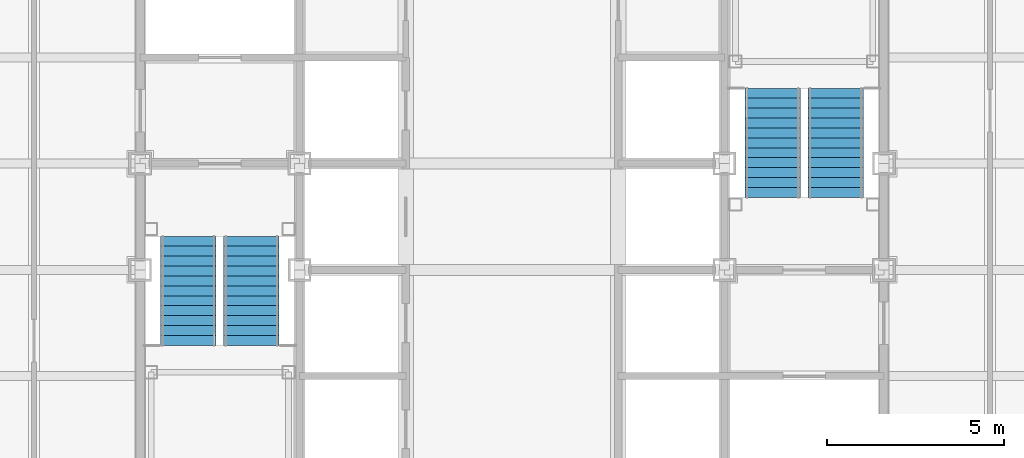
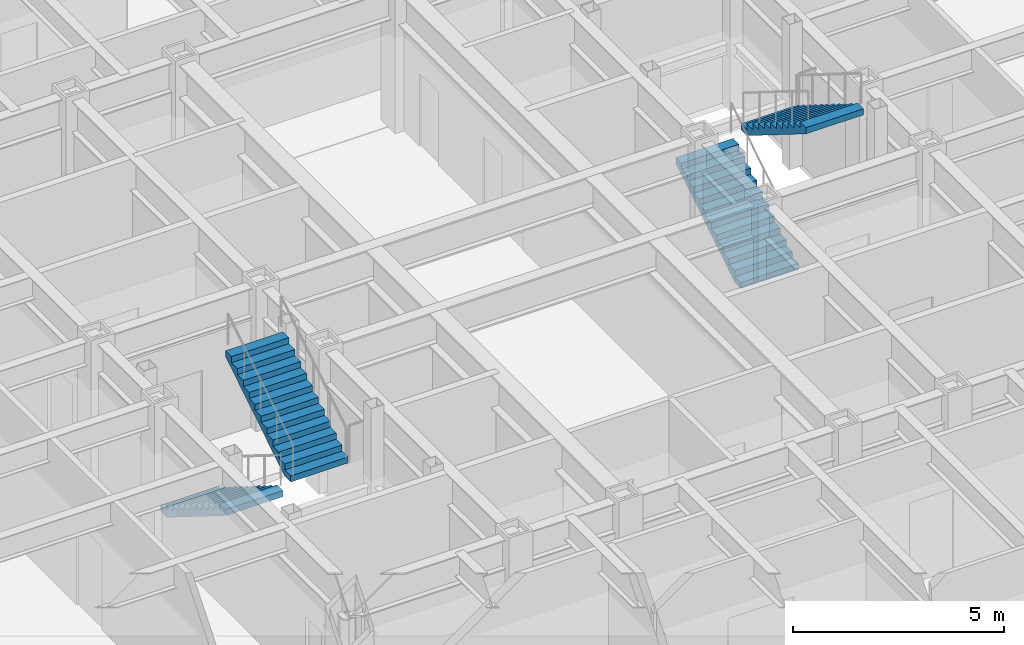
# One storey, part 13 of 16: 4 stair flights, 2 elements without a shape of their own.
"""IFC4 building model written with IfcOpenShell, lengths in metres."""

from ifc_helpers import new_model, si_unit, direction, frame, origin, place, context, subcontext, project, spatial, faceted_brep, material, type_object, element, aggregate, save


model = new_model("IFC4")

# Units and contexts
model_context = context("Model", 3, precision=1e-05, world=origin(), true_north=direction((0.0, 1.0)))
body_context = subcontext(model_context, "Body", "Model", "MODEL_VIEW")
ifc_project = project(units=[si_unit("LENGTHUNIT", "METRE"), si_unit("AREAUNIT", "SQUARE_METRE"), si_unit("VOLUMEUNIT", "CUBIC_METRE"), si_unit("PLANEANGLEUNIT", "RADIAN"), si_unit("MASSUNIT", "GRAM", prefix="KILO")], contexts=[model_context])

# Site, building, storey
site_placement = place(None, origin())
site = spatial("IfcSite", under=ifc_project, at=site_placement, CompositionType="ELEMENT")
building_placement = place(site_placement, origin())
building = spatial("IfcBuilding", under=site, at=building_placement, Name="Chuquiago Exchange Tower", CompositionType="ELEMENT")
storey_placement = place(building_placement, frame((0.0, 0.0, 144.60009765625)))
storey = spatial("IfcBuildingStorey", under=building, at=storey_placement, Name="L31", CompositionType="ELEMENT", Elevation=144.60009765625)

# Stair, stair flights
ifc_material_1 = material(Name="Concrete C30/37, precast", Category="concrete")
stair_type_1 = type_object("IfcStairType", Name="ST1 half-turn stair 4200", PredefinedType="HALF_TURN_STAIR", material=ifc_material_1)
stair_1_placement = place(storey_placement, origin())
stair_1 = element("IfcStair", 1, at=stair_1_placement, inside=storey, type_object=stair_type_1, Name="Stair ST1 L31", PredefinedType="HALF_TURN_STAIR")
ifc_material_2 = material(Name="Concrete C30/37, precast", Category="concrete")
stair_flight_type = type_object("IfcStairFlightType", Name="ST-F flight 1570 for 4200 storey", PredefinedType="STRAIGHT", material=ifc_material_2)
stair_flight_1_placement = place(storey_placement, frame((13.360107421875, 21.949951171875, 0.0), z_axis=(0.0, 0.0, 1.0), x_axis=(0.0, -1.0, 0.0)))
stair_flight_1 = element("IfcStairFlight", 2, at=stair_flight_1_placement, type_object=stair_flight_type, Name="ST1 flight 1", NumberOfRisers=12, NumberOfTreads=11, PredefinedType="STRAIGHT", RiserHeight=0.175, TreadLength=0.28, context=body_context, shape_type="Brep", body=[
    faceted_brep([(0.0, 0.78515625, 0.0), (0.0, 0.78515625, 0.175048828125), (0.280029296875, 0.78515625, 0.175048828125), (0.280029296875, 0.78515625, 0.35009765625), (0.56005859375, 0.78515625, 0.35009765625), (0.56005859375, 0.78515625, 0.52490234375), (0.840087890625, 0.78515625, 0.52490234375), (0.840087890625, 0.78515625, 0.699951171875), (1.1201171875, 0.78515625, 0.699951171875), (1.1201171875, 0.78515625, 0.875), (1.39990234375, 0.78515625, 0.875), (1.39990234375, 0.78515625, 1.050048828125), (1.679931640625, 0.78515625, 1.050048828125), (1.679931640625, 0.78515625, 1.22509765625), (1.9599609375, 0.78515625, 1.22509765625), (1.9599609375, 0.78515625, 1.39990234375), (2.239990234375, 0.78515625, 1.39990234375), (2.239990234375, 0.78515625, 1.574951171875), (2.52001953125, 0.78515625, 1.574951171875), (2.52001953125, 0.78515625, 1.75), (2.800048828125, 0.78515625, 1.75), (2.800048828125, 0.78515625, 1.925048828125), (3.080078125, 0.78515625, 1.925048828125), (3.080078125, 0.78515625, 1.748291015625), (0.28271484375, 0.78515625, 0.0), (0.28271484375, -0.78515625, 0.0), (3.080078125, -0.78515625, 1.748291015625), (3.080078125, -0.78515625, 1.925048828125), (2.800048828125, -0.78515625, 1.925048828125), (2.800048828125, -0.78515625, 1.75), (2.52001953125, -0.78515625, 1.75), (2.52001953125, -0.78515625, 1.574951171875), (2.239990234375, -0.78515625, 1.574951171875), (2.239990234375, -0.78515625, 1.39990234375), (1.9599609375, -0.78515625, 1.39990234375), (1.9599609375, -0.78515625, 1.22509765625), (1.679931640625, -0.78515625, 1.22509765625), (1.679931640625, -0.78515625, 1.050048828125), (1.39990234375, -0.78515625, 1.050048828125), (1.39990234375, -0.78515625, 0.875), (1.1201171875, -0.78515625, 0.875), (1.1201171875, -0.78515625, 0.699951171875), (0.840087890625, -0.78515625, 0.699951171875), (0.840087890625, -0.78515625, 0.52490234375), (0.56005859375, -0.78515625, 0.52490234375), (0.56005859375, -0.78515625, 0.35009765625), (0.280029296875, -0.78515625, 0.35009765625), (0.280029296875, -0.78515625, 0.175048828125), (0.0, -0.78515625, 0.175048828125), (0.0, -0.78515625, 0.0), (0.0, 0.392578125, 0.0), (0.0, 0.392578125, 0.175048828125), (0.0, 0.0, 0.0), (0.0, 0.0, 0.175048828125), (0.0, -0.392578125, 0.0), (0.0, -0.392578125, 0.175048828125), (0.280029296875, 0.392578125, 0.175048828125), (0.280029296875, 0.0, 0.175048828125), (0.280029296875, -0.392578125, 0.175048828125), (0.280029296875, 0.392578125, 0.35009765625), (0.280029296875, 0.0, 0.35009765625), (0.280029296875, -0.392578125, 0.35009765625), (0.56005859375, 0.392578125, 0.35009765625), (0.56005859375, 0.0, 0.35009765625), (0.56005859375, -0.392578125, 0.35009765625), (0.56005859375, 0.392578125, 0.52490234375), (0.56005859375, 0.0, 0.52490234375), (0.56005859375, -0.392578125, 0.52490234375), (0.840087890625, 0.392578125, 0.52490234375), (0.840087890625, 0.0, 0.52490234375), (0.840087890625, -0.392578125, 0.52490234375), (0.840087890625, 0.392578125, 0.699951171875), (0.840087890625, 0.0, 0.699951171875), (0.840087890625, -0.392578125, 0.699951171875), (1.1201171875, 0.392578125, 0.699951171875), (1.1201171875, 0.0, 0.699951171875), (1.1201171875, -0.392578125, 0.699951171875), (1.1201171875, 0.392578125, 0.875), (1.1201171875, 0.0, 0.875), (1.1201171875, -0.392578125, 0.875), (1.39990234375, 0.392578125, 0.875), (1.39990234375, 0.0, 0.875), (1.39990234375, -0.392578125, 0.875), (1.39990234375, 0.392578125, 1.050048828125), (1.39990234375, 0.0, 1.050048828125), (1.39990234375, -0.392578125, 1.050048828125), (1.679931640625, 0.392578125, 1.050048828125), (1.679931640625, 0.0, 1.050048828125), (1.679931640625, -0.392578125, 1.050048828125), (1.679931640625, 0.392578125, 1.22509765625), (1.679931640625, 0.0, 1.22509765625), (1.679931640625, -0.392578125, 1.22509765625), (1.9599609375, 0.392578125, 1.22509765625), (1.9599609375, 0.0, 1.22509765625), (1.9599609375, -0.392578125, 1.22509765625), (1.9599609375, 0.392578125, 1.39990234375), (1.9599609375, 0.0, 1.39990234375), (1.9599609375, -0.392578125, 1.39990234375), (2.239990234375, 0.392578125, 1.39990234375), (2.239990234375, 0.0, 1.39990234375), (2.239990234375, -0.392578125, 1.39990234375), (2.239990234375, 0.392578125, 1.574951171875), (2.239990234375, 0.0, 1.574951171875), (2.239990234375, -0.392578125, 1.574951171875), (2.52001953125, 0.392578125, 1.574951171875), (2.52001953125, 0.0, 1.574951171875), (2.52001953125, -0.392578125, 1.574951171875), (2.52001953125, 0.392578125, 1.75), (2.52001953125, 0.0, 1.75), (2.52001953125, -0.392578125, 1.75), (2.800048828125, 0.392578125, 1.75), (2.800048828125, 0.0, 1.75), (2.800048828125, -0.392578125, 1.75), (2.800048828125, 0.392578125, 1.925048828125), (2.800048828125, 0.0, 1.925048828125), (2.800048828125, -0.392578125, 1.925048828125), (3.080078125, 0.392578125, 1.925048828125), (3.080078125, 0.0, 1.925048828125), (3.080078125, -0.392578125, 1.925048828125), (3.080078125, 0.392578125, 1.748291015625), (3.080078125, 0.0, 1.748291015625), (3.080078125, -0.392578125, 1.748291015625), (0.28271484375, 0.392578125, 0.0), (0.28271484375, 0.0, 0.0), (0.28271484375, -0.392578125, 0.0)], [[[0, 1, 2, 3, 4, 5, 6, 7, 8, 9, 10, 11, 12, 13, 14, 15, 16, 17, 18, 19, 20, 21, 22, 23, 24]], [[25, 26, 27, 28, 29, 30, 31, 32, 33, 34, 35, 36, 37, 38, 39, 40, 41, 42, 43, 44, 45, 46, 47, 48, 49]], [[1, 0, 50, 51]], [[51, 50, 52, 53]], [[53, 52, 54, 55]], [[55, 54, 49, 48]], [[2, 1, 51, 56]], [[56, 51, 53, 57]], [[57, 53, 55, 58]], [[58, 55, 48, 47]], [[3, 2, 56, 59]], [[59, 56, 57, 60]], [[60, 57, 58, 61]], [[61, 58, 47, 46]], [[4, 3, 59, 62]], [[62, 59, 60, 63]], [[63, 60, 61, 64]], [[64, 61, 46, 45]], [[5, 4, 62, 65]], [[65, 62, 63, 66]], [[66, 63, 64, 67]], [[67, 64, 45, 44]], [[6, 5, 65, 68]], [[68, 65, 66, 69]], [[69, 66, 67, 70]], [[70, 67, 44, 43]], [[7, 6, 68, 71]], [[71, 68, 69, 72]], [[72, 69, 70, 73]], [[73, 70, 43, 42]], [[8, 7, 71, 74]], [[74, 71, 72, 75]], [[75, 72, 73, 76]], [[76, 73, 42, 41]], [[9, 8, 74, 77]], [[77, 74, 75, 78]], [[78, 75, 76, 79]], [[79, 76, 41, 40]], [[10, 9, 77, 80]], [[80, 77, 78, 81]], [[81, 78, 79, 82]], [[82, 79, 40, 39]], [[11, 10, 80, 83]], [[83, 80, 81, 84]], [[84, 81, 82, 85]], [[85, 82, 39, 38]], [[12, 11, 83, 86]], [[86, 83, 84, 87]], [[87, 84, 85, 88]], [[88, 85, 38, 37]], [[13, 12, 86, 89]], [[89, 86, 87, 90]], [[90, 87, 88, 91]], [[91, 88, 37, 36]], [[14, 13, 89, 92]], [[92, 89, 90, 93]], [[93, 90, 91, 94]], [[94, 91, 36, 35]], [[15, 14, 92, 95]], [[95, 92, 93, 96]], [[96, 93, 94, 97]], [[97, 94, 35, 34]], [[16, 15, 95, 98]], [[98, 95, 96, 99]], [[99, 96, 97, 100]], [[100, 97, 34, 33]], [[17, 16, 98, 101]], [[101, 98, 99, 102]], [[102, 99, 100, 103]], [[103, 100, 33, 32]], [[18, 17, 101, 104]], [[104, 101, 102, 105]], [[105, 102, 103, 106]], [[106, 103, 32, 31]], [[19, 18, 104, 107]], [[107, 104, 105, 108]], [[108, 105, 106, 109]], [[109, 106, 31, 30]], [[20, 19, 107, 110]], [[110, 107, 108, 111]], [[111, 108, 109, 112]], [[112, 109, 30, 29]], [[21, 20, 110, 113]], [[113, 110, 111, 114]], [[114, 111, 112, 115]], [[115, 112, 29, 28]], [[22, 21, 113, 116]], [[116, 113, 114, 117]], [[117, 114, 115, 118]], [[118, 115, 28, 27]], [[23, 22, 116, 119]], [[119, 116, 117, 120]], [[120, 117, 118, 121]], [[121, 118, 27, 26]], [[24, 23, 119, 122]], [[122, 119, 120, 123]], [[123, 120, 121, 124]], [[124, 121, 26, 25]], [[0, 24, 122, 50]], [[50, 122, 123, 52]], [[52, 123, 124, 54]], [[54, 124, 25, 49]]]),
])
stair_flight_2_placement = place(storey_placement, frame((15.139892578125, 18.8701171875, 2.099853515625), z_axis=(0.0, 0.0, 1.0), x_axis=(0.0, 1.0, 0.0)))
stair_flight_2 = element("IfcStairFlight", 3, at=stair_flight_2_placement, type_object=stair_flight_type, Name="ST1 flight 2", NumberOfRisers=12, NumberOfTreads=11, PredefinedType="STRAIGHT", RiserHeight=0.175, TreadLength=0.28, context=body_context, shape_type="Brep", body=[
    faceted_brep([(0.0, 0.78515625, 0.0), (0.0, 0.78515625, 0.175048828125), (0.280029296875, 0.78515625, 0.175048828125), (0.280029296875, 0.78515625, 0.35009765625), (0.56005859375, 0.78515625, 0.35009765625), (0.56005859375, 0.78515625, 0.52490234375), (0.840087890625, 0.78515625, 0.52490234375), (0.840087890625, 0.78515625, 0.699951171875), (1.1201171875, 0.78515625, 0.699951171875), (1.1201171875, 0.78515625, 0.875), (1.39990234375, 0.78515625, 0.875), (1.39990234375, 0.78515625, 1.050048828125), (1.679931640625, 0.78515625, 1.050048828125), (1.679931640625, 0.78515625, 1.22509765625), (1.9599609375, 0.78515625, 1.22509765625), (1.9599609375, 0.78515625, 1.39990234375), (2.239990234375, 0.78515625, 1.39990234375), (2.239990234375, 0.78515625, 1.574951171875), (2.52001953125, 0.78515625, 1.574951171875), (2.52001953125, 0.78515625, 1.75), (2.800048828125, 0.78515625, 1.75), (2.800048828125, 0.78515625, 1.925048828125), (3.080078125, 0.78515625, 1.925048828125), (3.080078125, 0.78515625, 1.748291015625), (0.28271484375, 0.78515625, 0.0), (0.28271484375, -0.78515625, 0.0), (3.080078125, -0.78515625, 1.748291015625), (3.080078125, -0.78515625, 1.925048828125), (2.800048828125, -0.78515625, 1.925048828125), (2.800048828125, -0.78515625, 1.75), (2.52001953125, -0.78515625, 1.75), (2.52001953125, -0.78515625, 1.574951171875), (2.239990234375, -0.78515625, 1.574951171875), (2.239990234375, -0.78515625, 1.39990234375), (1.9599609375, -0.78515625, 1.39990234375), (1.9599609375, -0.78515625, 1.22509765625), (1.679931640625, -0.78515625, 1.22509765625), (1.679931640625, -0.78515625, 1.050048828125), (1.39990234375, -0.78515625, 1.050048828125), (1.39990234375, -0.78515625, 0.875), (1.1201171875, -0.78515625, 0.875), (1.1201171875, -0.78515625, 0.699951171875), (0.840087890625, -0.78515625, 0.699951171875), (0.840087890625, -0.78515625, 0.52490234375), (0.56005859375, -0.78515625, 0.52490234375), (0.56005859375, -0.78515625, 0.35009765625), (0.280029296875, -0.78515625, 0.35009765625), (0.280029296875, -0.78515625, 0.175048828125), (0.0, -0.78515625, 0.175048828125), (0.0, -0.78515625, 0.0), (0.0, 0.392578125, 0.0), (0.0, 0.392578125, 0.175048828125), (0.0, 0.0, 0.0), (0.0, 0.0, 0.175048828125), (0.0, -0.392578125, 0.0), (0.0, -0.392578125, 0.175048828125), (0.280029296875, 0.392578125, 0.175048828125), (0.280029296875, 0.0, 0.175048828125), (0.280029296875, -0.392578125, 0.175048828125), (0.280029296875, 0.392578125, 0.35009765625), (0.280029296875, 0.0, 0.35009765625), (0.280029296875, -0.392578125, 0.35009765625), (0.56005859375, 0.392578125, 0.35009765625), (0.56005859375, 0.0, 0.35009765625), (0.56005859375, -0.392578125, 0.35009765625), (0.56005859375, 0.392578125, 0.52490234375), (0.56005859375, 0.0, 0.52490234375), (0.56005859375, -0.392578125, 0.52490234375), (0.840087890625, 0.392578125, 0.52490234375), (0.840087890625, 0.0, 0.52490234375), (0.840087890625, -0.392578125, 0.52490234375), (0.840087890625, 0.392578125, 0.699951171875), (0.840087890625, 0.0, 0.699951171875), (0.840087890625, -0.392578125, 0.699951171875), (1.1201171875, 0.392578125, 0.699951171875), (1.1201171875, 0.0, 0.699951171875), (1.1201171875, -0.392578125, 0.699951171875), (1.1201171875, 0.392578125, 0.875), (1.1201171875, 0.0, 0.875), (1.1201171875, -0.392578125, 0.875), (1.39990234375, 0.392578125, 0.875), (1.39990234375, 0.0, 0.875), (1.39990234375, -0.392578125, 0.875), (1.39990234375, 0.392578125, 1.050048828125), (1.39990234375, 0.0, 1.050048828125), (1.39990234375, -0.392578125, 1.050048828125), (1.679931640625, 0.392578125, 1.050048828125), (1.679931640625, 0.0, 1.050048828125), (1.679931640625, -0.392578125, 1.050048828125), (1.679931640625, 0.392578125, 1.22509765625), (1.679931640625, 0.0, 1.22509765625), (1.679931640625, -0.392578125, 1.22509765625), (1.9599609375, 0.392578125, 1.22509765625), (1.9599609375, 0.0, 1.22509765625), (1.9599609375, -0.392578125, 1.22509765625), (1.9599609375, 0.392578125, 1.39990234375), (1.9599609375, 0.0, 1.39990234375), (1.9599609375, -0.392578125, 1.39990234375), (2.239990234375, 0.392578125, 1.39990234375), (2.239990234375, 0.0, 1.39990234375), (2.239990234375, -0.392578125, 1.39990234375), (2.239990234375, 0.392578125, 1.574951171875), (2.239990234375, 0.0, 1.574951171875), (2.239990234375, -0.392578125, 1.574951171875), (2.52001953125, 0.392578125, 1.574951171875), (2.52001953125, 0.0, 1.574951171875), (2.52001953125, -0.392578125, 1.574951171875), (2.52001953125, 0.392578125, 1.75), (2.52001953125, 0.0, 1.75), (2.52001953125, -0.392578125, 1.75), (2.800048828125, 0.392578125, 1.75), (2.800048828125, 0.0, 1.75), (2.800048828125, -0.392578125, 1.75), (2.800048828125, 0.392578125, 1.925048828125), (2.800048828125, 0.0, 1.925048828125), (2.800048828125, -0.392578125, 1.925048828125), (3.080078125, 0.392578125, 1.925048828125), (3.080078125, 0.0, 1.925048828125), (3.080078125, -0.392578125, 1.925048828125), (3.080078125, 0.392578125, 1.748291015625), (3.080078125, 0.0, 1.748291015625), (3.080078125, -0.392578125, 1.748291015625), (0.28271484375, 0.392578125, 0.0), (0.28271484375, 0.0, 0.0), (0.28271484375, -0.392578125, 0.0)], [[[0, 1, 2, 3, 4, 5, 6, 7, 8, 9, 10, 11, 12, 13, 14, 15, 16, 17, 18, 19, 20, 21, 22, 23, 24]], [[25, 26, 27, 28, 29, 30, 31, 32, 33, 34, 35, 36, 37, 38, 39, 40, 41, 42, 43, 44, 45, 46, 47, 48, 49]], [[1, 0, 50, 51]], [[51, 50, 52, 53]], [[53, 52, 54, 55]], [[55, 54, 49, 48]], [[2, 1, 51, 56]], [[56, 51, 53, 57]], [[57, 53, 55, 58]], [[58, 55, 48, 47]], [[3, 2, 56, 59]], [[59, 56, 57, 60]], [[60, 57, 58, 61]], [[61, 58, 47, 46]], [[4, 3, 59, 62]], [[62, 59, 60, 63]], [[63, 60, 61, 64]], [[64, 61, 46, 45]], [[5, 4, 62, 65]], [[65, 62, 63, 66]], [[66, 63, 64, 67]], [[67, 64, 45, 44]], [[6, 5, 65, 68]], [[68, 65, 66, 69]], [[69, 66, 67, 70]], [[70, 67, 44, 43]], [[7, 6, 68, 71]], [[71, 68, 69, 72]], [[72, 69, 70, 73]], [[73, 70, 43, 42]], [[8, 7, 71, 74]], [[74, 71, 72, 75]], [[75, 72, 73, 76]], [[76, 73, 42, 41]], [[9, 8, 74, 77]], [[77, 74, 75, 78]], [[78, 75, 76, 79]], [[79, 76, 41, 40]], [[10, 9, 77, 80]], [[80, 77, 78, 81]], [[81, 78, 79, 82]], [[82, 79, 40, 39]], [[11, 10, 80, 83]], [[83, 80, 81, 84]], [[84, 81, 82, 85]], [[85, 82, 39, 38]], [[12, 11, 83, 86]], [[86, 83, 84, 87]], [[87, 84, 85, 88]], [[88, 85, 38, 37]], [[13, 12, 86, 89]], [[89, 86, 87, 90]], [[90, 87, 88, 91]], [[91, 88, 37, 36]], [[14, 13, 89, 92]], [[92, 89, 90, 93]], [[93, 90, 91, 94]], [[94, 91, 36, 35]], [[15, 14, 92, 95]], [[95, 92, 93, 96]], [[96, 93, 94, 97]], [[97, 94, 35, 34]], [[16, 15, 95, 98]], [[98, 95, 96, 99]], [[99, 96, 97, 100]], [[100, 97, 34, 33]], [[17, 16, 98, 101]], [[101, 98, 99, 102]], [[102, 99, 100, 103]], [[103, 100, 33, 32]], [[18, 17, 101, 104]], [[104, 101, 102, 105]], [[105, 102, 103, 106]], [[106, 103, 32, 31]], [[19, 18, 104, 107]], [[107, 104, 105, 108]], [[108, 105, 106, 109]], [[109, 106, 31, 30]], [[20, 19, 107, 110]], [[110, 107, 108, 111]], [[111, 108, 109, 112]], [[112, 109, 30, 29]], [[21, 20, 110, 113]], [[113, 110, 111, 114]], [[114, 111, 112, 115]], [[115, 112, 29, 28]], [[22, 21, 113, 116]], [[116, 113, 114, 117]], [[117, 114, 115, 118]], [[118, 115, 28, 27]], [[23, 22, 116, 119]], [[119, 116, 117, 120]], [[120, 117, 118, 121]], [[121, 118, 27, 26]], [[24, 23, 119, 122]], [[122, 119, 120, 123]], [[123, 120, 121, 124]], [[124, 121, 26, 25]], [[0, 24, 122, 50]], [[50, 122, 123, 52]], [[52, 123, 124, 54]], [[54, 124, 25, 49]]]),
])
aggregate(stair_1, [stair_flight_1, stair_flight_2])

ifc_material_3 = material(Name="Concrete C30/37, precast", Category="concrete")
stair_type_2 = type_object("IfcStairType", Name="ST2 half-turn stair 4200", PredefinedType="HALF_TURN_STAIR", material=ifc_material_3)
stair_2_placement = place(storey_placement, origin())
stair_2 = element("IfcStair", 4, at=stair_2_placement, inside=storey, type_object=stair_type_2, Name="Stair ST2 L31", PredefinedType="HALF_TURN_STAIR")
stair_flight_3_placement = place(storey_placement, frame((29.860107421875, 23.050048828125, 0.0), z_axis=(0.0, 0.0, 1.0), x_axis=(0.0, 1.0, 0.0)))
stair_flight_3 = element("IfcStairFlight", 5, at=stair_flight_3_placement, type_object=stair_flight_type, Name="ST2 flight 1", NumberOfRisers=12, NumberOfTreads=11, PredefinedType="STRAIGHT", RiserHeight=0.175, TreadLength=0.28, context=body_context, shape_type="Brep", body=[
    faceted_brep([(0.0, 0.78515625, 0.0), (0.0, 0.78515625, 0.175048828125), (0.280029296875, 0.78515625, 0.175048828125), (0.280029296875, 0.78515625, 0.35009765625), (0.56005859375, 0.78515625, 0.35009765625), (0.56005859375, 0.78515625, 0.52490234375), (0.840087890625, 0.78515625, 0.52490234375), (0.840087890625, 0.78515625, 0.699951171875), (1.1201171875, 0.78515625, 0.699951171875), (1.1201171875, 0.78515625, 0.875), (1.39990234375, 0.78515625, 0.875), (1.39990234375, 0.78515625, 1.050048828125), (1.679931640625, 0.78515625, 1.050048828125), (1.679931640625, 0.78515625, 1.22509765625), (1.9599609375, 0.78515625, 1.22509765625), (1.9599609375, 0.78515625, 1.39990234375), (2.239990234375, 0.78515625, 1.39990234375), (2.239990234375, 0.78515625, 1.574951171875), (2.52001953125, 0.78515625, 1.574951171875), (2.52001953125, 0.78515625, 1.75), (2.800048828125, 0.78515625, 1.75), (2.800048828125, 0.78515625, 1.925048828125), (3.080078125, 0.78515625, 1.925048828125), (3.080078125, 0.78515625, 1.748291015625), (0.28271484375, 0.78515625, 0.0), (0.28271484375, -0.78515625, 0.0), (3.080078125, -0.78515625, 1.748291015625), (3.080078125, -0.78515625, 1.925048828125), (2.800048828125, -0.78515625, 1.925048828125), (2.800048828125, -0.78515625, 1.75), (2.52001953125, -0.78515625, 1.75), (2.52001953125, -0.78515625, 1.574951171875), (2.239990234375, -0.78515625, 1.574951171875), (2.239990234375, -0.78515625, 1.39990234375), (1.9599609375, -0.78515625, 1.39990234375), (1.9599609375, -0.78515625, 1.22509765625), (1.679931640625, -0.78515625, 1.22509765625), (1.679931640625, -0.78515625, 1.050048828125), (1.39990234375, -0.78515625, 1.050048828125), (1.39990234375, -0.78515625, 0.875), (1.1201171875, -0.78515625, 0.875), (1.1201171875, -0.78515625, 0.699951171875), (0.840087890625, -0.78515625, 0.699951171875), (0.840087890625, -0.78515625, 0.52490234375), (0.56005859375, -0.78515625, 0.52490234375), (0.56005859375, -0.78515625, 0.35009765625), (0.280029296875, -0.78515625, 0.35009765625), (0.280029296875, -0.78515625, 0.175048828125), (0.0, -0.78515625, 0.175048828125), (0.0, -0.78515625, 0.0), (0.0, 0.392578125, 0.0), (0.0, 0.392578125, 0.175048828125), (0.0, 0.0, 0.0), (0.0, 0.0, 0.175048828125), (0.0, -0.392578125, 0.0), (0.0, -0.392578125, 0.175048828125), (0.280029296875, 0.392578125, 0.175048828125), (0.280029296875, 0.0, 0.175048828125), (0.280029296875, -0.392578125, 0.175048828125), (0.280029296875, 0.392578125, 0.35009765625), (0.280029296875, 0.0, 0.35009765625), (0.280029296875, -0.392578125, 0.35009765625), (0.56005859375, 0.392578125, 0.35009765625), (0.56005859375, 0.0, 0.35009765625), (0.56005859375, -0.392578125, 0.35009765625), (0.56005859375, 0.392578125, 0.52490234375), (0.56005859375, 0.0, 0.52490234375), (0.56005859375, -0.392578125, 0.52490234375), (0.840087890625, 0.392578125, 0.52490234375), (0.840087890625, 0.0, 0.52490234375), (0.840087890625, -0.392578125, 0.52490234375), (0.840087890625, 0.392578125, 0.699951171875), (0.840087890625, 0.0, 0.699951171875), (0.840087890625, -0.392578125, 0.699951171875), (1.1201171875, 0.392578125, 0.699951171875), (1.1201171875, 0.0, 0.699951171875), (1.1201171875, -0.392578125, 0.699951171875), (1.1201171875, 0.392578125, 0.875), (1.1201171875, 0.0, 0.875), (1.1201171875, -0.392578125, 0.875), (1.39990234375, 0.392578125, 0.875), (1.39990234375, 0.0, 0.875), (1.39990234375, -0.392578125, 0.875), (1.39990234375, 0.392578125, 1.050048828125), (1.39990234375, 0.0, 1.050048828125), (1.39990234375, -0.392578125, 1.050048828125), (1.679931640625, 0.392578125, 1.050048828125), (1.679931640625, 0.0, 1.050048828125), (1.679931640625, -0.392578125, 1.050048828125), (1.679931640625, 0.392578125, 1.22509765625), (1.679931640625, 0.0, 1.22509765625), (1.679931640625, -0.392578125, 1.22509765625), (1.9599609375, 0.392578125, 1.22509765625), (1.9599609375, 0.0, 1.22509765625), (1.9599609375, -0.392578125, 1.22509765625), (1.9599609375, 0.392578125, 1.39990234375), (1.9599609375, 0.0, 1.39990234375), (1.9599609375, -0.392578125, 1.39990234375), (2.239990234375, 0.392578125, 1.39990234375), (2.239990234375, 0.0, 1.39990234375), (2.239990234375, -0.392578125, 1.39990234375), (2.239990234375, 0.392578125, 1.574951171875), (2.239990234375, 0.0, 1.574951171875), (2.239990234375, -0.392578125, 1.574951171875), (2.52001953125, 0.392578125, 1.574951171875), (2.52001953125, 0.0, 1.574951171875), (2.52001953125, -0.392578125, 1.574951171875), (2.52001953125, 0.392578125, 1.75), (2.52001953125, 0.0, 1.75), (2.52001953125, -0.392578125, 1.75), (2.800048828125, 0.392578125, 1.75), (2.800048828125, 0.0, 1.75), (2.800048828125, -0.392578125, 1.75), (2.800048828125, 0.392578125, 1.925048828125), (2.800048828125, 0.0, 1.925048828125), (2.800048828125, -0.392578125, 1.925048828125), (3.080078125, 0.392578125, 1.925048828125), (3.080078125, 0.0, 1.925048828125), (3.080078125, -0.392578125, 1.925048828125), (3.080078125, 0.392578125, 1.748291015625), (3.080078125, 0.0, 1.748291015625), (3.080078125, -0.392578125, 1.748291015625), (0.28271484375, 0.392578125, 0.0), (0.28271484375, 0.0, 0.0), (0.28271484375, -0.392578125, 0.0)], [[[0, 1, 2, 3, 4, 5, 6, 7, 8, 9, 10, 11, 12, 13, 14, 15, 16, 17, 18, 19, 20, 21, 22, 23, 24]], [[25, 26, 27, 28, 29, 30, 31, 32, 33, 34, 35, 36, 37, 38, 39, 40, 41, 42, 43, 44, 45, 46, 47, 48, 49]], [[1, 0, 50, 51]], [[51, 50, 52, 53]], [[53, 52, 54, 55]], [[55, 54, 49, 48]], [[2, 1, 51, 56]], [[56, 51, 53, 57]], [[57, 53, 55, 58]], [[58, 55, 48, 47]], [[3, 2, 56, 59]], [[59, 56, 57, 60]], [[60, 57, 58, 61]], [[61, 58, 47, 46]], [[4, 3, 59, 62]], [[62, 59, 60, 63]], [[63, 60, 61, 64]], [[64, 61, 46, 45]], [[5, 4, 62, 65]], [[65, 62, 63, 66]], [[66, 63, 64, 67]], [[67, 64, 45, 44]], [[6, 5, 65, 68]], [[68, 65, 66, 69]], [[69, 66, 67, 70]], [[70, 67, 44, 43]], [[7, 6, 68, 71]], [[71, 68, 69, 72]], [[72, 69, 70, 73]], [[73, 70, 43, 42]], [[8, 7, 71, 74]], [[74, 71, 72, 75]], [[75, 72, 73, 76]], [[76, 73, 42, 41]], [[9, 8, 74, 77]], [[77, 74, 75, 78]], [[78, 75, 76, 79]], [[79, 76, 41, 40]], [[10, 9, 77, 80]], [[80, 77, 78, 81]], [[81, 78, 79, 82]], [[82, 79, 40, 39]], [[11, 10, 80, 83]], [[83, 80, 81, 84]], [[84, 81, 82, 85]], [[85, 82, 39, 38]], [[12, 11, 83, 86]], [[86, 83, 84, 87]], [[87, 84, 85, 88]], [[88, 85, 38, 37]], [[13, 12, 86, 89]], [[89, 86, 87, 90]], [[90, 87, 88, 91]], [[91, 88, 37, 36]], [[14, 13, 89, 92]], [[92, 89, 90, 93]], [[93, 90, 91, 94]], [[94, 91, 36, 35]], [[15, 14, 92, 95]], [[95, 92, 93, 96]], [[96, 93, 94, 97]], [[97, 94, 35, 34]], [[16, 15, 95, 98]], [[98, 95, 96, 99]], [[99, 96, 97, 100]], [[100, 97, 34, 33]], [[17, 16, 98, 101]], [[101, 98, 99, 102]], [[102, 99, 100, 103]], [[103, 100, 33, 32]], [[18, 17, 101, 104]], [[104, 101, 102, 105]], [[105, 102, 103, 106]], [[106, 103, 32, 31]], [[19, 18, 104, 107]], [[107, 104, 105, 108]], [[108, 105, 106, 109]], [[109, 106, 31, 30]], [[20, 19, 107, 110]], [[110, 107, 108, 111]], [[111, 108, 109, 112]], [[112, 109, 30, 29]], [[21, 20, 110, 113]], [[113, 110, 111, 114]], [[114, 111, 112, 115]], [[115, 112, 29, 28]], [[22, 21, 113, 116]], [[116, 113, 114, 117]], [[117, 114, 115, 118]], [[118, 115, 28, 27]], [[23, 22, 116, 119]], [[119, 116, 117, 120]], [[120, 117, 118, 121]], [[121, 118, 27, 26]], [[24, 23, 119, 122]], [[122, 119, 120, 123]], [[123, 120, 121, 124]], [[124, 121, 26, 25]], [[0, 24, 122, 50]], [[50, 122, 123, 52]], [[52, 123, 124, 54]], [[54, 124, 25, 49]]]),
])
stair_flight_4_placement = place(storey_placement, frame((31.639892578125, 26.1298828125, 2.099853515625), z_axis=(0.0, 0.0, 1.0), x_axis=(0.0, -1.0, 0.0)))
stair_flight_4 = element("IfcStairFlight", 6, at=stair_flight_4_placement, type_object=stair_flight_type, Name="ST2 flight 2", NumberOfRisers=12, NumberOfTreads=11, PredefinedType="STRAIGHT", RiserHeight=0.175, TreadLength=0.28, context=body_context, shape_type="Brep", body=[
    faceted_brep([(0.0, 0.78515625, 0.0), (0.0, 0.78515625, 0.175048828125), (0.280029296875, 0.78515625, 0.175048828125), (0.280029296875, 0.78515625, 0.35009765625), (0.56005859375, 0.78515625, 0.35009765625), (0.56005859375, 0.78515625, 0.52490234375), (0.840087890625, 0.78515625, 0.52490234375), (0.840087890625, 0.78515625, 0.699951171875), (1.1201171875, 0.78515625, 0.699951171875), (1.1201171875, 0.78515625, 0.875), (1.39990234375, 0.78515625, 0.875), (1.39990234375, 0.78515625, 1.050048828125), (1.679931640625, 0.78515625, 1.050048828125), (1.679931640625, 0.78515625, 1.22509765625), (1.9599609375, 0.78515625, 1.22509765625), (1.9599609375, 0.78515625, 1.39990234375), (2.239990234375, 0.78515625, 1.39990234375), (2.239990234375, 0.78515625, 1.574951171875), (2.52001953125, 0.78515625, 1.574951171875), (2.52001953125, 0.78515625, 1.75), (2.800048828125, 0.78515625, 1.75), (2.800048828125, 0.78515625, 1.925048828125), (3.080078125, 0.78515625, 1.925048828125), (3.080078125, 0.78515625, 1.748291015625), (0.28271484375, 0.78515625, 0.0), (0.28271484375, -0.78515625, 0.0), (3.080078125, -0.78515625, 1.748291015625), (3.080078125, -0.78515625, 1.925048828125), (2.800048828125, -0.78515625, 1.925048828125), (2.800048828125, -0.78515625, 1.75), (2.52001953125, -0.78515625, 1.75), (2.52001953125, -0.78515625, 1.574951171875), (2.239990234375, -0.78515625, 1.574951171875), (2.239990234375, -0.78515625, 1.39990234375), (1.9599609375, -0.78515625, 1.39990234375), (1.9599609375, -0.78515625, 1.22509765625), (1.679931640625, -0.78515625, 1.22509765625), (1.679931640625, -0.78515625, 1.050048828125), (1.39990234375, -0.78515625, 1.050048828125), (1.39990234375, -0.78515625, 0.875), (1.1201171875, -0.78515625, 0.875), (1.1201171875, -0.78515625, 0.699951171875), (0.840087890625, -0.78515625, 0.699951171875), (0.840087890625, -0.78515625, 0.52490234375), (0.56005859375, -0.78515625, 0.52490234375), (0.56005859375, -0.78515625, 0.35009765625), (0.280029296875, -0.78515625, 0.35009765625), (0.280029296875, -0.78515625, 0.175048828125), (0.0, -0.78515625, 0.175048828125), (0.0, -0.78515625, 0.0), (0.0, 0.392578125, 0.0), (0.0, 0.392578125, 0.175048828125), (0.0, 0.0, 0.0), (0.0, 0.0, 0.175048828125), (0.0, -0.392578125, 0.0), (0.0, -0.392578125, 0.175048828125), (0.280029296875, 0.392578125, 0.175048828125), (0.280029296875, 0.0, 0.175048828125), (0.280029296875, -0.392578125, 0.175048828125), (0.280029296875, 0.392578125, 0.35009765625), (0.280029296875, 0.0, 0.35009765625), (0.280029296875, -0.392578125, 0.35009765625), (0.56005859375, 0.392578125, 0.35009765625), (0.56005859375, 0.0, 0.35009765625), (0.56005859375, -0.392578125, 0.35009765625), (0.56005859375, 0.392578125, 0.52490234375), (0.56005859375, 0.0, 0.52490234375), (0.56005859375, -0.392578125, 0.52490234375), (0.840087890625, 0.392578125, 0.52490234375), (0.840087890625, 0.0, 0.52490234375), (0.840087890625, -0.392578125, 0.52490234375), (0.840087890625, 0.392578125, 0.699951171875), (0.840087890625, 0.0, 0.699951171875), (0.840087890625, -0.392578125, 0.699951171875), (1.1201171875, 0.392578125, 0.699951171875), (1.1201171875, 0.0, 0.699951171875), (1.1201171875, -0.392578125, 0.699951171875), (1.1201171875, 0.392578125, 0.875), (1.1201171875, 0.0, 0.875), (1.1201171875, -0.392578125, 0.875), (1.39990234375, 0.392578125, 0.875), (1.39990234375, 0.0, 0.875), (1.39990234375, -0.392578125, 0.875), (1.39990234375, 0.392578125, 1.050048828125), (1.39990234375, 0.0, 1.050048828125), (1.39990234375, -0.392578125, 1.050048828125), (1.679931640625, 0.392578125, 1.050048828125), (1.679931640625, 0.0, 1.050048828125), (1.679931640625, -0.392578125, 1.050048828125), (1.679931640625, 0.392578125, 1.22509765625), (1.679931640625, 0.0, 1.22509765625), (1.679931640625, -0.392578125, 1.22509765625), (1.9599609375, 0.392578125, 1.22509765625), (1.9599609375, 0.0, 1.22509765625), (1.9599609375, -0.392578125, 1.22509765625), (1.9599609375, 0.392578125, 1.39990234375), (1.9599609375, 0.0, 1.39990234375), (1.9599609375, -0.392578125, 1.39990234375), (2.239990234375, 0.392578125, 1.39990234375), (2.239990234375, 0.0, 1.39990234375), (2.239990234375, -0.392578125, 1.39990234375), (2.239990234375, 0.392578125, 1.574951171875), (2.239990234375, 0.0, 1.574951171875), (2.239990234375, -0.392578125, 1.574951171875), (2.52001953125, 0.392578125, 1.574951171875), (2.52001953125, 0.0, 1.574951171875), (2.52001953125, -0.392578125, 1.574951171875), (2.52001953125, 0.392578125, 1.75), (2.52001953125, 0.0, 1.75), (2.52001953125, -0.392578125, 1.75), (2.800048828125, 0.392578125, 1.75), (2.800048828125, 0.0, 1.75), (2.800048828125, -0.392578125, 1.75), (2.800048828125, 0.392578125, 1.925048828125), (2.800048828125, 0.0, 1.925048828125), (2.800048828125, -0.392578125, 1.925048828125), (3.080078125, 0.392578125, 1.925048828125), (3.080078125, 0.0, 1.925048828125), (3.080078125, -0.392578125, 1.925048828125), (3.080078125, 0.392578125, 1.748291015625), (3.080078125, 0.0, 1.748291015625), (3.080078125, -0.392578125, 1.748291015625), (0.28271484375, 0.392578125, 0.0), (0.28271484375, 0.0, 0.0), (0.28271484375, -0.392578125, 0.0)], [[[0, 1, 2, 3, 4, 5, 6, 7, 8, 9, 10, 11, 12, 13, 14, 15, 16, 17, 18, 19, 20, 21, 22, 23, 24]], [[25, 26, 27, 28, 29, 30, 31, 32, 33, 34, 35, 36, 37, 38, 39, 40, 41, 42, 43, 44, 45, 46, 47, 48, 49]], [[1, 0, 50, 51]], [[51, 50, 52, 53]], [[53, 52, 54, 55]], [[55, 54, 49, 48]], [[2, 1, 51, 56]], [[56, 51, 53, 57]], [[57, 53, 55, 58]], [[58, 55, 48, 47]], [[3, 2, 56, 59]], [[59, 56, 57, 60]], [[60, 57, 58, 61]], [[61, 58, 47, 46]], [[4, 3, 59, 62]], [[62, 59, 60, 63]], [[63, 60, 61, 64]], [[64, 61, 46, 45]], [[5, 4, 62, 65]], [[65, 62, 63, 66]], [[66, 63, 64, 67]], [[67, 64, 45, 44]], [[6, 5, 65, 68]], [[68, 65, 66, 69]], [[69, 66, 67, 70]], [[70, 67, 44, 43]], [[7, 6, 68, 71]], [[71, 68, 69, 72]], [[72, 69, 70, 73]], [[73, 70, 43, 42]], [[8, 7, 71, 74]], [[74, 71, 72, 75]], [[75, 72, 73, 76]], [[76, 73, 42, 41]], [[9, 8, 74, 77]], [[77, 74, 75, 78]], [[78, 75, 76, 79]], [[79, 76, 41, 40]], [[10, 9, 77, 80]], [[80, 77, 78, 81]], [[81, 78, 79, 82]], [[82, 79, 40, 39]], [[11, 10, 80, 83]], [[83, 80, 81, 84]], [[84, 81, 82, 85]], [[85, 82, 39, 38]], [[12, 11, 83, 86]], [[86, 83, 84, 87]], [[87, 84, 85, 88]], [[88, 85, 38, 37]], [[13, 12, 86, 89]], [[89, 86, 87, 90]], [[90, 87, 88, 91]], [[91, 88, 37, 36]], [[14, 13, 89, 92]], [[92, 89, 90, 93]], [[93, 90, 91, 94]], [[94, 91, 36, 35]], [[15, 14, 92, 95]], [[95, 92, 93, 96]], [[96, 93, 94, 97]], [[97, 94, 35, 34]], [[16, 15, 95, 98]], [[98, 95, 96, 99]], [[99, 96, 97, 100]], [[100, 97, 34, 33]], [[17, 16, 98, 101]], [[101, 98, 99, 102]], [[102, 99, 100, 103]], [[103, 100, 33, 32]], [[18, 17, 101, 104]], [[104, 101, 102, 105]], [[105, 102, 103, 106]], [[106, 103, 32, 31]], [[19, 18, 104, 107]], [[107, 104, 105, 108]], [[108, 105, 106, 109]], [[109, 106, 31, 30]], [[20, 19, 107, 110]], [[110, 107, 108, 111]], [[111, 108, 109, 112]], [[112, 109, 30, 29]], [[21, 20, 110, 113]], [[113, 110, 111, 114]], [[114, 111, 112, 115]], [[115, 112, 29, 28]], [[22, 21, 113, 116]], [[116, 113, 114, 117]], [[117, 114, 115, 118]], [[118, 115, 28, 27]], [[23, 22, 116, 119]], [[119, 116, 117, 120]], [[120, 117, 118, 121]], [[121, 118, 27, 26]], [[24, 23, 119, 122]], [[122, 119, 120, 123]], [[123, 120, 121, 124]], [[124, 121, 26, 25]], [[0, 24, 122, 50]], [[50, 122, 123, 52]], [[52, 123, 124, 54]], [[54, 124, 25, 49]]]),
])
aggregate(stair_2, [stair_flight_3, stair_flight_4])

save(model, "model.ifc")
